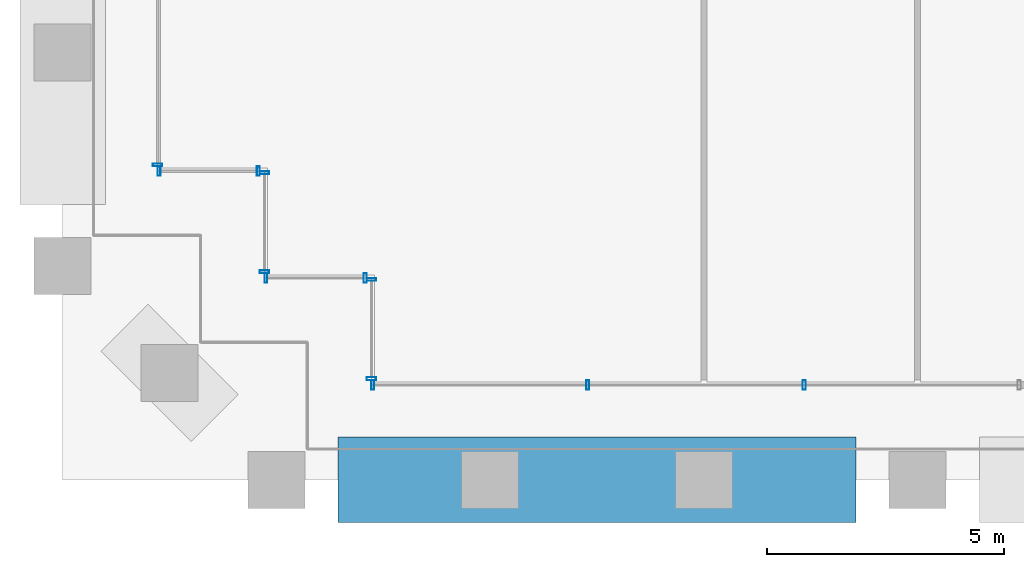
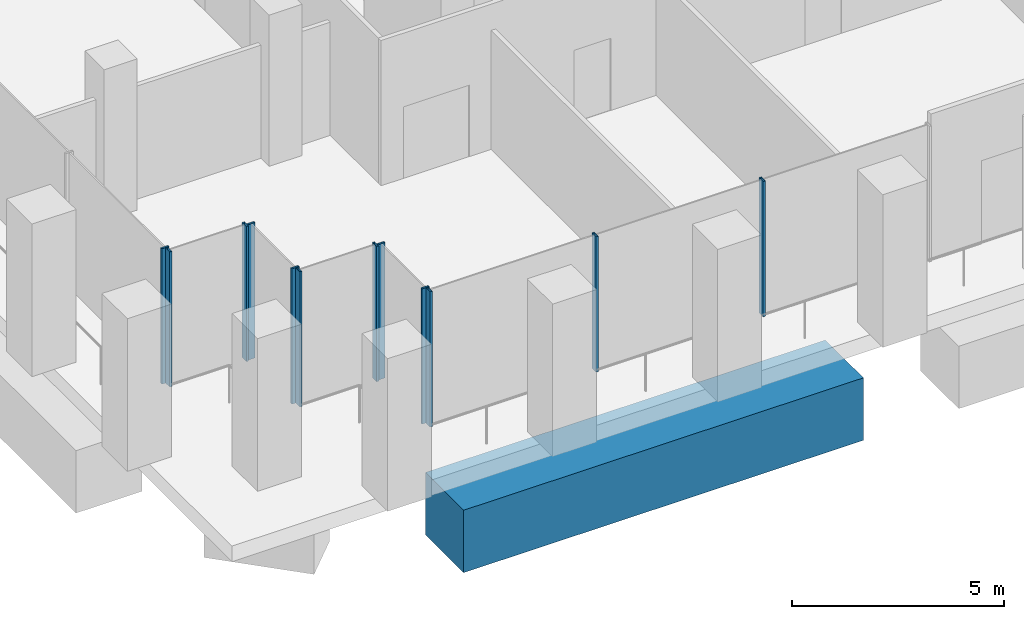
# One storey, part 2 of 32: 12 members, 1 beam, 6 elements without a shape of their own.
"""IFC4 building model written with IfcOpenShell, lengths in metres."""

from ifc_helpers import new_model, si_unit, direction, frame, origin, origin_2d, place, context, subcontext, project, spatial, rectangle, hollow_rectangle, extrude, material, material_profile, profile_set, type_object, element, aggregate, save


model = new_model("IFC4")

# Units and contexts
model_context = context("Model", 3, precision=1e-05, world=origin(), true_north=direction((0.0, 1.0)))
body_context = subcontext(model_context, "Body", "Model", "MODEL_VIEW")
ifc_project = project(units=[si_unit("LENGTHUNIT", "METRE"), si_unit("AREAUNIT", "SQUARE_METRE"), si_unit("VOLUMEUNIT", "CUBIC_METRE"), si_unit("PLANEANGLEUNIT", "RADIAN"), si_unit("MASSUNIT", "GRAM", prefix="KILO")], contexts=[model_context])

# Site, building, storey
site_placement = place(None, origin())
site = spatial("IfcSite", under=ifc_project, at=site_placement, CompositionType="ELEMENT")
building_placement = place(site_placement, origin())
building = spatial("IfcBuilding", under=site, at=building_placement, Name="Altepetl Exchange Towers", CompositionType="ELEMENT")
storey_placement = place(building_placement, frame((0.0, 0.0, 21.0)))
storey = spatial("IfcBuildingStorey", under=building, at=storey_placement, Name="L04", CompositionType="ELEMENT", Elevation=21.0)

# Curtain wall, member
ifc_material_1 = material(Name="Aluminium 6063-T6 glazing", Category="aluminium")
curtain_wall_type = type_object("IfcCurtainWallType", Name="Trading floor glazing system", PredefinedType="NOTDEFINED", material=ifc_material_1)
curtain_wall_1_placement = place(storey_placement, origin())
curtain_wall_1 = element("IfcCurtainWall", 1, at=curtain_wall_1_placement, inside=storey, type_object=curtain_wall_type, Name="CW2 run", PredefinedType="NOTDEFINED")
ifc_material_2 = material(Name="Aluminium 6063-T6", Category="aluminium")
ifc_material_profile_1 = material_profile(ifc_material_2, hollow_rectangle(XDim=0.06005859375, YDim=0.199951171875, WallThickness=0.0029296875, at=origin_2d()), Name="Mullion 60x200 aluminium")
ifc_profile_set_1 = profile_set([ifc_material_profile_1], Name="Aluminium 6063-T6")
member_type = type_object("IfcMemberType", Name="Mullion 60x200 aluminium", PredefinedType="MULLION", material=ifc_profile_set_1)
member_1_placement = place(storey_placement, frame((29.0, 33.6298828125, 0.0), z_axis=(0.0, 0.0, 1.0), x_axis=(0.0, -1.0, 0.0)))
member_1 = element("IfcMember", 2, at=member_1_placement, type_object=member_type, Name="MU2 mullion", PredefinedType="MULLION", context=body_context, shape_type="SweptSolid", body=[
    extrude(hollow_rectangle(XDim=0.06005859375, YDim=0.199951171875, WallThickness=0.0029296875, at=origin_2d()), origin(), (0.0, 0.0, 1.0), 3.89990234375),
])
aggregate(curtain_wall_1, [member_1])

# Curtain wall, members
curtain_wall_2_placement = place(storey_placement, origin())
curtain_wall_2 = element("IfcCurtainWall", 3, at=curtain_wall_2_placement, inside=storey, type_object=curtain_wall_type, Name="CW2 run", PredefinedType="NOTDEFINED")
member_2_placement = place(storey_placement, frame((29.030029296875, 33.5, 0.0)))
member_2 = element("IfcMember", 4, at=member_2_placement, type_object=member_type, Name="MU2 mullion", PredefinedType="MULLION", context=body_context, shape_type="SweptSolid", body=[
    extrude(hollow_rectangle(XDim=0.06005859375, YDim=0.199951171875, WallThickness=0.0029296875, at=origin_2d()), origin(), (0.0, 0.0, 1.0), 3.89990234375),
])
member_3_placement = place(storey_placement, frame((31.1201171875, 33.5, 0.0)))
member_3 = element("IfcMember", 5, at=member_3_placement, type_object=member_type, Name="MU2 mullion", PredefinedType="MULLION", context=body_context, shape_type="SweptSolid", body=[
    extrude(hollow_rectangle(XDim=0.06005859375, YDim=0.199951171875, WallThickness=0.0029296875, at=origin_2d()), origin(), (0.0, 0.0, 1.0), 3.89990234375),
])
aggregate(curtain_wall_2, [member_2, member_3])

curtain_wall_3_placement = place(storey_placement, origin())
curtain_wall_3 = element("IfcCurtainWall", 6, at=curtain_wall_3_placement, inside=storey, type_object=curtain_wall_type, Name="CW2 run", PredefinedType="NOTDEFINED")
member_4_placement = place(storey_placement, frame((31.25, 33.469970703125, 0.0), z_axis=(0.0, 0.0, 1.0), x_axis=(0.0, -1.0, 0.0)))
member_4 = element("IfcMember", 7, at=member_4_placement, type_object=member_type, Name="MU2 mullion", PredefinedType="MULLION", context=body_context, shape_type="SweptSolid", body=[
    extrude(hollow_rectangle(XDim=0.06005859375, YDim=0.199951171875, WallThickness=0.0029296875, at=origin_2d()), origin(), (0.0, 0.0, 1.0), 3.89990234375),
])
member_5_placement = place(storey_placement, frame((31.25, 31.3798828125, 0.0), z_axis=(0.0, 0.0, 1.0), x_axis=(0.0, -1.0, 0.0)))
member_5 = element("IfcMember", 8, at=member_5_placement, type_object=member_type, Name="MU2 mullion", PredefinedType="MULLION", context=body_context, shape_type="SweptSolid", body=[
    extrude(hollow_rectangle(XDim=0.06005859375, YDim=0.199951171875, WallThickness=0.0029296875, at=origin_2d()), origin(), (0.0, 0.0, 1.0), 3.89990234375),
])
aggregate(curtain_wall_3, [member_4, member_5])

curtain_wall_4_placement = place(storey_placement, origin())
curtain_wall_4 = element("IfcCurtainWall", 9, at=curtain_wall_4_placement, inside=storey, type_object=curtain_wall_type, Name="CW2 run", PredefinedType="NOTDEFINED")
member_6_placement = place(storey_placement, frame((31.280029296875, 31.25, 0.0)))
member_6 = element("IfcMember", 10, at=member_6_placement, type_object=member_type, Name="MU2 mullion", PredefinedType="MULLION", context=body_context, shape_type="SweptSolid", body=[
    extrude(hollow_rectangle(XDim=0.06005859375, YDim=0.199951171875, WallThickness=0.0029296875, at=origin_2d()), origin(), (0.0, 0.0, 1.0), 3.89990234375),
])
member_7_placement = place(storey_placement, frame((33.3701171875, 31.25, 0.0)))
member_7 = element("IfcMember", 11, at=member_7_placement, type_object=member_type, Name="MU2 mullion", PredefinedType="MULLION", context=body_context, shape_type="SweptSolid", body=[
    extrude(hollow_rectangle(XDim=0.06005859375, YDim=0.199951171875, WallThickness=0.0029296875, at=origin_2d()), origin(), (0.0, 0.0, 1.0), 3.89990234375),
])
aggregate(curtain_wall_4, [member_6, member_7])

curtain_wall_5_placement = place(storey_placement, origin())
curtain_wall_5 = element("IfcCurtainWall", 12, at=curtain_wall_5_placement, inside=storey, type_object=curtain_wall_type, Name="CW2 run", PredefinedType="NOTDEFINED")
member_8_placement = place(storey_placement, frame((33.5, 31.219970703125, 0.0), z_axis=(0.0, 0.0, 1.0), x_axis=(0.0, -1.0, 0.0)))
member_8 = element("IfcMember", 13, at=member_8_placement, type_object=member_type, Name="MU2 mullion", PredefinedType="MULLION", context=body_context, shape_type="SweptSolid", body=[
    extrude(hollow_rectangle(XDim=0.06005859375, YDim=0.199951171875, WallThickness=0.0029296875, at=origin_2d()), origin(), (0.0, 0.0, 1.0), 3.89990234375),
])
member_9_placement = place(storey_placement, frame((33.5, 29.1298828125, 0.0), z_axis=(0.0, 0.0, 1.0), x_axis=(0.0, -1.0, 0.0)))
member_9 = element("IfcMember", 14, at=member_9_placement, type_object=member_type, Name="MU2 mullion", PredefinedType="MULLION", context=body_context, shape_type="SweptSolid", body=[
    extrude(hollow_rectangle(XDim=0.06005859375, YDim=0.199951171875, WallThickness=0.0029296875, at=origin_2d()), origin(), (0.0, 0.0, 1.0), 3.89990234375),
])
aggregate(curtain_wall_5, [member_8, member_9])

curtain_wall_6_placement = place(storey_placement, origin())
curtain_wall_6 = element("IfcCurtainWall", 15, at=curtain_wall_6_placement, inside=storey, type_object=curtain_wall_type, Name="CW2 run", PredefinedType="NOTDEFINED")
member_10_placement = place(storey_placement, frame((33.530029296875, 29.0, 0.0)))
member_10 = element("IfcMember", 16, at=member_10_placement, type_object=member_type, Name="MU2 mullion", PredefinedType="MULLION", context=body_context, shape_type="SweptSolid", body=[
    extrude(hollow_rectangle(XDim=0.06005859375, YDim=0.199951171875, WallThickness=0.0029296875, at=origin_2d()), origin(), (0.0, 0.0, 1.0), 3.89990234375),
])
member_11_placement = place(storey_placement, frame((38.05712890625, 29.0, 0.0)))
member_11 = element("IfcMember", 17, at=member_11_placement, type_object=member_type, Name="MU2 mullion", PredefinedType="MULLION", context=body_context, shape_type="SweptSolid", body=[
    extrude(hollow_rectangle(XDim=0.06005859375, YDim=0.199951171875, WallThickness=0.0029296875, at=origin_2d()), origin(), (0.0, 0.0, 1.0), 3.89990234375),
])
member_12_placement = place(storey_placement, frame((42.6142578125, 29.0, 0.0)))
member_12 = element("IfcMember", 18, at=member_12_placement, type_object=member_type, Name="MU2 mullion", PredefinedType="MULLION", context=body_context, shape_type="SweptSolid", body=[
    extrude(hollow_rectangle(XDim=0.06005859375, YDim=0.199951171875, WallThickness=0.0029296875, at=origin_2d()), origin(), (0.0, 0.0, 1.0), 3.89990234375),
])
aggregate(curtain_wall_6, [member_10, member_11, member_12])

# Beam
ifc_material_3 = material(Name="Concrete C60/75", Category="concrete")
ifc_material_profile_2 = material_profile(ifc_material_3, rectangle(XDim=1.800048828125, YDim=1.800048828125, at=origin_2d()), Name="1800 x 1800")
ifc_profile_set_2 = profile_set([ifc_material_profile_2], Name="Concrete C60/75")
beam_type = type_object("IfcBeamType", Name="Transfer girder 1800x1800", PredefinedType="BEAM", material=ifc_profile_set_2)
beam_placement = place(storey_placement, frame((32.800048828125, 27.0, -1.35009765625), z_axis=(1.0, 0.0, 0.0), x_axis=(0.0, 1.0, 0.0)))
element("IfcBeam", 19, at=beam_placement, inside=storey, type_object=beam_type, Name="bm:A:L04:tg00", PredefinedType="BEAM", context=body_context, shape_type="SweptSolid", body=[
    extrude(rectangle(XDim=1.800048828125, YDim=1.800048828125, at=origin_2d()), origin(), (0.0, 0.0, 1.0), 10.89990234375),
])

save(model, "model.ifc")
